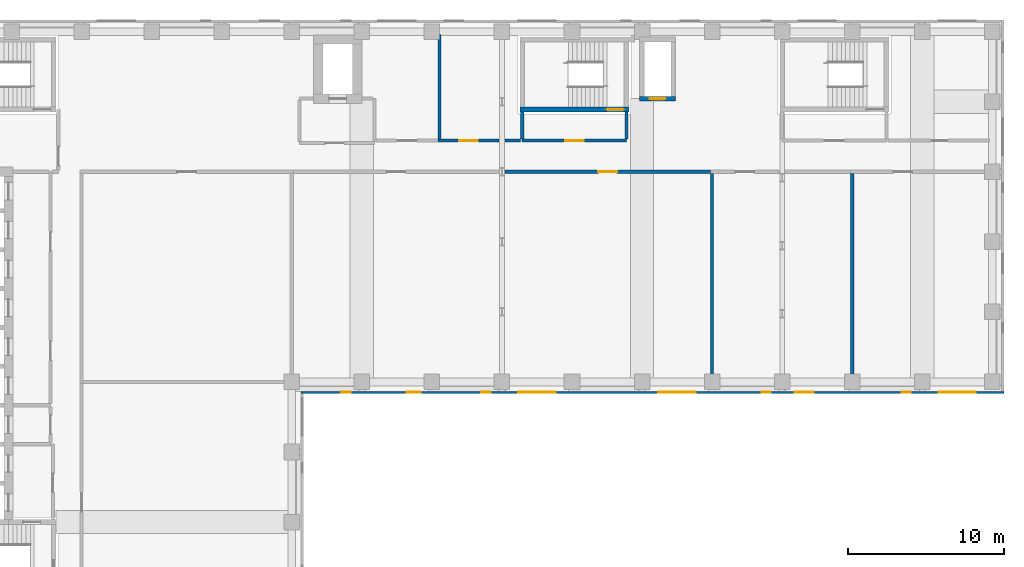
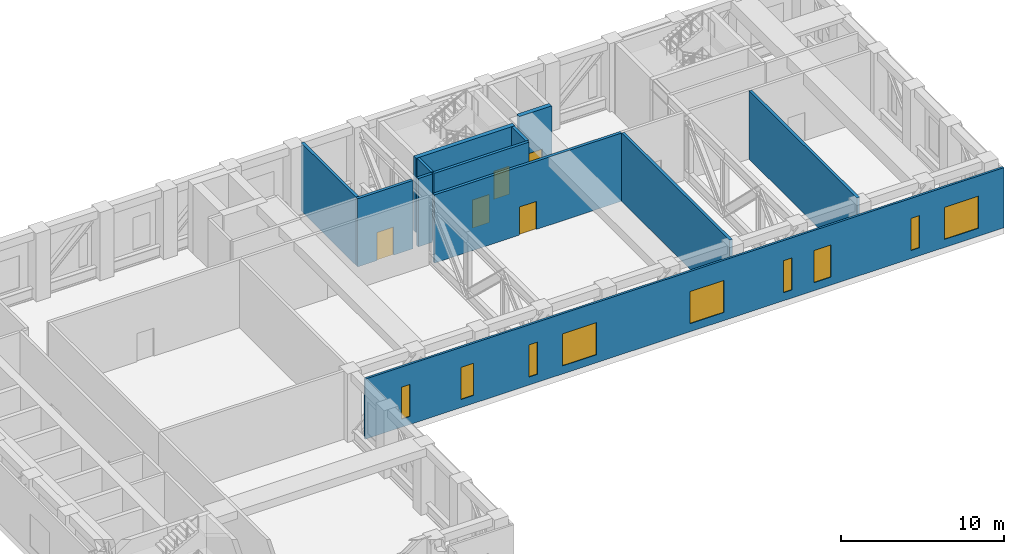
# One storey, part 8 of 14: 12 walls, 9 windows, 5 doors, 14 openings.
"""IFC4 building model written with IfcOpenShell, lengths in metres."""

from ifc_helpers import new_model, si_unit, direction, frame, frame_2d, origin, place, context, subcontext, project, spatial, rectangle, extrude, material, layer, layer_set, type_object, element, fill, save


model = new_model("IFC4")

# Units and contexts
model_context = context("Model", 3, precision=1e-05, world=origin(), true_north=direction((0.0, 1.0)))
body_context = subcontext(model_context, "Body", "Model", "MODEL_VIEW")
ifc_project = project(units=[si_unit("LENGTHUNIT", "METRE"), si_unit("AREAUNIT", "SQUARE_METRE"), si_unit("VOLUMEUNIT", "CUBIC_METRE"), si_unit("PLANEANGLEUNIT", "RADIAN"), si_unit("MASSUNIT", "GRAM", prefix="KILO")], contexts=[model_context])

# Site, building, storey
site_placement = place(None, origin())
site = spatial("IfcSite", under=ifc_project, at=site_placement, CompositionType="ELEMENT")
building_placement = place(site_placement, origin())
building = spatial("IfcBuilding", under=site, at=building_placement, Name="Firuza Court", CompositionType="ELEMENT")
storey_placement = place(building_placement, frame((0.0, 0.0, 173.60009765625)))
storey = spatial("IfcBuildingStorey", under=building, at=storey_placement, Name="L44", CompositionType="ELEMENT", Elevation=173.60009765625)

# Wall, opening, door
ifc_material_1 = material(Name="Concrete C60/75", Category="concrete")
ifc_layer_1 = layer(ifc_material_1, 0.300048828125)
ifc_layer_set_1 = layer_set([ifc_layer_1], Name="Concrete C60/75")
wall_type_1 = type_object("IfcWallType", Name="Core wall 300 C60/75", PredefinedType="SHEAR", material=ifc_layer_set_1)
wall_1_placement = place(storey_placement, frame((37.14990234375, 53.5, -0.4501953125), z_axis=(0.0, 0.0, 1.0), x_axis=(1.0, 0.0, 0.0)))
wall_1 = element("IfcWall", 1, at=wall_1_placement, inside=storey, type_object=wall_type_1, Name="Core wall stair L44", PredefinedType="SHEAR", context=body_context, shape_type="SweptSolid", body=[
    extrude(rectangle(XDim=7.0, YDim=0.300048828125, at=frame_2d((3.5, 0.0))), origin(), (0.0, 0.0, 1.0), 5.550048828125),
])
opening_1_placement = place(wall_1_placement, frame((5.580078125, 0.0, 0.449951171875)))
opening_1 = element("IfcOpeningElement", 2, at=opening_1_placement, cuts=wall_1, Name="Opening D44012", PredefinedType="OPENING", context=body_context, shape_type="SweptSolid", body=[
    extrude(rectangle(XDim=1.10009765625, YDim=2.10009765625, at=frame_2d((0.550048828125, 1.050048828125))), frame((0.0, 0.162109375, 0.0), z_axis=(0.0, -1.0, 0.0), x_axis=(1.0, 0.0, 0.0)), (0.0, 0.0, 1.0), 0.323974609375),
])
ifc_material_2 = material(Name="Timber door leaf in hardwood frame", Category="wood")
door_type_1 = type_object("IfcDoorType", Name="Stair door 1100", OperationType="SINGLE_SWING_LEFT", PredefinedType="DOOR", material=ifc_material_2)
door_1_placement = place(opening_1_placement, origin())
door_1 = element("IfcDoor", 3, at=door_1_placement, inside=storey, type_object=door_type_1, Name="Stair door S1", OperationType="SINGLE_SWING_RIGHT", OverallHeight=2.10009765625, OverallWidth=1.10009765625, PredefinedType="DOOR", context=body_context, shape_type="SweptSolid", body=[
    extrude(rectangle(XDim=1.10009765625, YDim=2.10009765625, at=frame_2d((0.550048828125, 1.050048828125))), frame((0.0, 0.02490234375, 0.0), z_axis=(0.0, -1.0, 0.0), x_axis=(1.0, 0.0, 0.0)), (0.0, 0.0, 1.0), 0.050048828125),
])
fill(opening_1, door_1)

wall_2_placement = place(storey_placement, frame((44.85009765625, 54.199951171875, -0.4501953125), z_axis=(0.0, 0.0, 1.0), x_axis=(1.0, 0.0, 0.0)))
wall_2 = element("IfcWall", 4, at=wall_2_placement, inside=storey, type_object=wall_type_1, Name="Core wall riser L44", PredefinedType="SHEAR", context=body_context, shape_type="SweptSolid", body=[
    extrude(rectangle(XDim=2.2998046875, YDim=0.300048828125, at=frame_2d((1.14990234375, 0.0))), origin(), (0.0, 0.0, 1.0), 5.550048828125),
])
opening_2_placement = place(wall_2_placement, frame((0.64990234375, 0.0, 0.449951171875)))
opening_2 = element("IfcOpeningElement", 5, at=opening_2_placement, cuts=wall_2, Name="Opening D44010", PredefinedType="OPENING", context=body_context, shape_type="SweptSolid", body=[
    extrude(rectangle(XDim=1.0, YDim=2.10009765625, at=frame_2d((0.5, 1.050048828125))), frame((0.0, 0.162109375, 0.0), z_axis=(0.0, -1.0, 0.0), x_axis=(1.0, 0.0, 0.0)), (0.0, 0.0, 1.0), 0.323974609375),
])
ifc_material_3 = material(Name="Timber door leaf in hardwood frame", Category="wood")
door_type_2 = type_object("IfcDoorType", Name="Riser door 1000", OperationType="SINGLE_SWING_LEFT", PredefinedType="DOOR", material=ifc_material_3)
door_2_placement = place(opening_2_placement, frame((1.0, 0.0, 0.0), z_axis=(0.0, 0.0, 1.0), x_axis=(-1.0, 0.0, 0.0)))
door_2 = element("IfcDoor", 6, at=door_2_placement, inside=storey, type_object=door_type_2, Name="Riser door R3", OperationType="SINGLE_SWING_RIGHT", OverallHeight=2.10009765625, OverallWidth=1.0, PredefinedType="DOOR", context=body_context, shape_type="SweptSolid", body=[
    extrude(rectangle(XDim=1.0, YDim=2.10009765625, at=frame_2d((0.5, 1.050048828125))), frame((0.0, 0.02490234375, 0.0), z_axis=(0.0, -1.0, 0.0), x_axis=(1.0, 0.0, 0.0)), (0.0, 0.0, 1.0), 0.050048828125),
])
fill(opening_2, door_2)

ifc_material_4 = material(Name="Blockwork, fire-rated", Category="masonry")
ifc_layer_2 = layer(ifc_material_4, 0.199951171875)
ifc_layer_set_2 = layer_set([ifc_layer_2], Name="Blockwork, fire-rated")
wall_type_2 = type_object("IfcWallType", Name="Plant room wall 200", PredefinedType="PARTITIONING", material=ifc_layer_set_2)
wall_3_placement = place(storey_placement, frame((36.1923828125, 49.5, 0.0), z_axis=(0.0, 0.0, 1.0), x_axis=(1.0, 0.0, 0.0)))
wall_3 = element("IfcWall", 7, at=wall_3_placement, inside=storey, type_object=wall_type_2, Name="Plant room wall 200 L44", PredefinedType="PARTITIONING", context=body_context, shape_type="SweptSolid", body=[
    extrude(rectangle(XDim=13.20751953125, YDim=0.199951171875, at=frame_2d((6.603759765625, 0.0))), origin(), (0.0, 0.0, 1.0), 5.099853515625),
])
opening_3_placement = place(wall_3_placement, frame((6.003662109375, 0.0, 0.0)))
opening_3 = element("IfcOpeningElement", 8, at=opening_3_placement, cuts=wall_3, Name="Opening D44026", PredefinedType="OPENING", context=body_context, shape_type="SweptSolid", body=[
    extrude(rectangle(XDim=1.199951171875, YDim=2.10009765625, at=frame_2d((0.60009765625, 1.050048828125))), frame((0.0, 0.11181640625, 0.0), z_axis=(0.0, -1.0, 0.0), x_axis=(1.0, 0.0, 0.0)), (0.0, 0.0, 1.0), 0.223876953125),
])
ifc_material_5 = material(Name="Timber door leaf in hardwood frame", Category="wood")
door_type_3 = type_object("IfcDoorType", Name="Plant room door 1200", OperationType="SINGLE_SWING_LEFT", PredefinedType="DOOR", material=ifc_material_5)
door_3_placement = place(opening_3_placement, frame((1.199951171875, 0.0, 0.0), z_axis=(0.0, 0.0, 1.0), x_axis=(-1.0, 0.0, 0.0)))
door_3 = element("IfcDoor", 9, at=door_3_placement, inside=storey, type_object=door_type_3, Name="Plant door", OperationType="SINGLE_SWING_RIGHT", OverallHeight=2.10009765625, OverallWidth=1.199951171875, PredefinedType="DOOR", context=body_context, shape_type="SweptSolid", body=[
    extrude(rectangle(XDim=1.199951171875, YDim=2.10009765625, at=frame_2d((0.60009765625, 1.050048828125))), frame((0.0, 0.02490234375, 0.0), z_axis=(0.0, -1.0, 0.0), x_axis=(1.0, 0.0, 0.0)), (0.0, 0.0, 1.0), 0.050048828125),
])
fill(opening_3, door_3)

# Walls
for number, where, z_axis, x_axis, name in (
    (10, (49.5, 49.39990234375, 0.0), (0.0, 0.0, 1.0), (0.0, -1.0, 0.0), "Plant room wall 200 L44"),
    (11, (58.5, 49.39990234375, 0.0), (0.0, 0.0, 1.0), (0.0, -1.0, 0.0), "Plant room wall 200 L44"),
):
    element("IfcWall", number, at=place(storey_placement, frame(where, z_axis=z_axis, x_axis=x_axis)), inside=storey, type_object=wall_type_2, Name=name, PredefinedType="PARTITIONING", context=body_context, shape_type="SweptSolid", body=[
        extrude(rectangle(XDim=13.20849609375, YDim=0.199951171875, at=frame_2d((6.604248046875, 0.0))), origin(), (0.0, 0.0, 1.0), 5.099853515625),
    ])
wall_4_placement = place(storey_placement, frame((37.199951171875, 51.5, 0.0), z_axis=(0.0, 0.0, 1.0), x_axis=(-1.0, 0.0, 0.0)))
element("IfcWall", 12, at=wall_4_placement, inside=storey, type_object=wall_type_2, Name="Plant room wall 200 L44", PredefinedType="PARTITIONING", context=body_context, shape_type="SweptSolid", body=[
    extrude(rectangle(XDim=1.007568359375, YDim=0.199951171875, at=frame_2d((0.50390625, 0.0))), origin(), (0.0, 0.0, 1.0), 5.099853515625),
])

# Wall, opening, door
wall_5_placement = place(storey_placement, frame((35.8076171875, 51.5, 0.0), z_axis=(0.0, 0.0, 1.0), x_axis=(-1.0, 0.0, 0.0)))
wall_5 = element("IfcWall", 13, at=wall_5_placement, inside=storey, type_object=wall_type_2, Name="Plant room wall 200 L44", PredefinedType="PARTITIONING", context=body_context, shape_type="SweptSolid", body=[
    extrude(rectangle(XDim=3.90771484375, YDim=0.199951171875, at=frame_2d((1.953857421875, 0.0))), origin(), (0.0, 0.0, 1.0), 5.099853515625),
])
opening_4_placement = place(wall_5_placement, frame((1.353759765625, 0.0, 0.0)))
opening_4 = element("IfcOpeningElement", 14, at=opening_4_placement, cuts=wall_5, Name="Opening D44030", PredefinedType="OPENING", context=body_context, shape_type="SweptSolid", body=[
    extrude(rectangle(XDim=1.199951171875, YDim=2.10009765625, at=frame_2d((0.60009765625, 1.050048828125))), frame((0.0, 0.11181640625, 0.0), z_axis=(0.0, -1.0, 0.0), x_axis=(1.0, 0.0, 0.0)), (0.0, 0.0, 1.0), 0.223876953125),
])
door_4_placement = place(opening_4_placement, frame((1.199951171875, 0.0, 0.0), z_axis=(0.0, 0.0, 1.0), x_axis=(-1.0, 0.0, 0.0)))
door_4 = element("IfcDoor", 15, at=door_4_placement, inside=storey, type_object=door_type_3, Name="Plant door", OperationType="SINGLE_SWING_LEFT", OverallHeight=2.10009765625, OverallWidth=1.199951171875, PredefinedType="DOOR", context=body_context, shape_type="SweptSolid", body=[
    extrude(rectangle(XDim=1.199951171875, YDim=2.10009765625, at=frame_2d((0.60009765625, 1.050048828125))), frame((0.0, 0.02490234375, 0.0), z_axis=(0.0, -1.0, 0.0), x_axis=(1.0, 0.0, 0.0)), (0.0, 0.0, 1.0), 0.050048828125),
])
fill(opening_4, door_4)

# Wall
wall_6_placement = place(storey_placement, frame((32.0, 58.30859375, 0.0), z_axis=(0.0, 0.0, 1.0), x_axis=(0.0, -1.0, 0.0)))
element("IfcWall", 16, at=wall_6_placement, inside=storey, type_object=wall_type_2, Name="Plant room wall 200 L44", PredefinedType="PARTITIONING", context=body_context, shape_type="SweptSolid", body=[
    extrude(rectangle(XDim=6.70849609375, YDim=0.199951171875, at=frame_2d((3.354248046875, 0.0))), origin(), (0.0, 0.0, 1.0), 5.099853515625),
])

# Wall, openings, windows
ifc_material_6 = material(Name="Ceramic tile", Category="ceramic")
ifc_layer_3 = layer(ifc_material_6, 0.02001953125)
ifc_material_7 = material(Name="Mineral wool insulation", Category="insulation")
ifc_layer_4 = layer(ifc_material_7, 0.050048828125)
ifc_material_8 = material(Name="Concrete C40/50 precast", Category="concrete")
ifc_layer_5 = layer(ifc_material_8, 0.080078125)
ifc_layer_set_3 = layer_set([ifc_layer_3, ifc_layer_4, ifc_layer_5], Name="Concrete C40/50 precast")
wall_type_3 = type_object("IfcWallType", Name="Precast cladding wall with turquoise TILE PANEL face 150", PredefinedType="STANDARD", material=ifc_layer_set_3)
wall_7_placement = place(storey_placement, frame((23.10009765625, 35.324951171875, 0.0), z_axis=(0.0, 0.0, 1.0), x_axis=(1.0, 0.0, 0.0)))
wall_7 = element("IfcWall", 17, at=wall_7_placement, inside=storey, type_object=wall_type_3, Name="Facade wall L44 S", PredefinedType="STANDARD", context=body_context, shape_type="SweptSolid", body=[
    extrude(rectangle(XDim=45.14990234375, YDim=0.14990234375, at=frame_2d((22.574951171875, 0.0))), origin(), (0.0, 0.0, 1.0), 4.5),
])
opening_5_placement = place(wall_7_placement, frame((2.574951171875, 0.0, 0.60009765625)))
opening_5 = element("IfcOpeningElement", 18, at=opening_5_placement, cuts=wall_7, Name="Opening LV6", PredefinedType="OPENING", context=body_context, shape_type="SweptSolid", body=[
    extrude(rectangle(XDim=0.60009765625, YDim=2.39990234375, at=frame_2d((0.300048828125, 1.199951171875))), frame((0.0, 0.0869140625, 0.0), z_axis=(0.0, -1.0, 0.0), x_axis=(1.0, 0.0, 0.0)), (0.0, 0.0, 1.0), 0.173828125),
])
opening_6_placement = place(wall_7_placement, frame((6.781005859375, 0.0, 0.60009765625)))
opening_6 = element("IfcOpeningElement", 19, at=opening_6_placement, cuts=wall_7, Name="Opening LV8", PredefinedType="OPENING", context=body_context, shape_type="SweptSolid", body=[
    extrude(rectangle(XDim=0.89990234375, YDim=2.39990234375, at=frame_2d((0.449951171875, 1.199951171875))), frame((0.0, 0.0869140625, 0.0), z_axis=(0.0, -1.0, 0.0), x_axis=(1.0, 0.0, 0.0)), (0.0, 0.0, 1.0), 0.173828125),
])
opening_7_placement = place(wall_7_placement, frame((11.574951171875, 0.0, 0.60009765625)))
opening_7 = element("IfcOpeningElement", 20, at=opening_7_placement, cuts=wall_7, Name="Opening LV6", PredefinedType="OPENING", context=body_context, shape_type="SweptSolid", body=[
    extrude(rectangle(XDim=0.60009765625, YDim=2.39990234375, at=frame_2d((0.300048828125, 1.199951171875))), frame((0.0, 0.0869140625, 0.0), z_axis=(0.0, -1.0, 0.0), x_axis=(1.0, 0.0, 0.0)), (0.0, 0.0, 1.0), 0.173828125),
])
opening_8_placement = place(wall_7_placement, frame((13.949951171875, 0.0, 0.60009765625)))
opening_8 = element("IfcOpeningElement", 21, at=opening_8_placement, cuts=wall_7, Name="Opening LV2", PredefinedType="OPENING", context=body_context, shape_type="SweptSolid", body=[
    extrude(rectangle(XDim=2.39990234375, YDim=2.39990234375, at=frame_2d((1.199951171875, 1.199951171875))), frame((0.0, 0.0869140625, 0.0), z_axis=(0.0, -1.0, 0.0), x_axis=(1.0, 0.0, 0.0)), (0.0, 0.0, 1.0), 0.173828125),
])
opening_9_placement = place(wall_7_placement, frame((22.949951171875, 0.0, 0.60009765625)))
opening_9 = element("IfcOpeningElement", 22, at=opening_9_placement, cuts=wall_7, Name="Opening LV2", PredefinedType="OPENING", context=body_context, shape_type="SweptSolid", body=[
    extrude(rectangle(XDim=2.39990234375, YDim=2.39990234375, at=frame_2d((1.199951171875, 1.199951171875))), frame((0.0, 0.0869140625, 0.0), z_axis=(0.0, -1.0, 0.0), x_axis=(1.0, 0.0, 0.0)), (0.0, 0.0, 1.0), 0.173828125),
])
opening_10_placement = place(wall_7_placement, frame((29.574951171875, 0.0, 0.60009765625)))
opening_10 = element("IfcOpeningElement", 23, at=opening_10_placement, cuts=wall_7, Name="Opening LV6", PredefinedType="OPENING", context=body_context, shape_type="SweptSolid", body=[
    extrude(rectangle(XDim=0.60009765625, YDim=2.39990234375, at=frame_2d((0.300048828125, 1.199951171875))), frame((0.0, 0.0869140625, 0.0), z_axis=(0.0, -1.0, 0.0), x_axis=(1.0, 0.0, 0.0)), (0.0, 0.0, 1.0), 0.173828125),
])
opening_11_placement = place(wall_7_placement, frame((31.7158203125, 0.0, 0.60009765625)))
opening_11 = element("IfcOpeningElement", 24, at=opening_11_placement, cuts=wall_7, Name="Opening LV5", PredefinedType="OPENING", context=body_context, shape_type="SweptSolid", body=[
    extrude(rectangle(XDim=1.199951171875, YDim=2.39990234375, at=frame_2d((0.60009765625, 1.199951171875))), frame((0.0, 0.0869140625, 0.0), z_axis=(0.0, -1.0, 0.0), x_axis=(1.0, 0.0, 0.0)), (0.0, 0.0, 1.0), 0.173828125),
])
opening_12_placement = place(wall_7_placement, frame((38.574951171875, 0.0, 0.60009765625)))
opening_12 = element("IfcOpeningElement", 25, at=opening_12_placement, cuts=wall_7, Name="Opening LV6", PredefinedType="OPENING", context=body_context, shape_type="SweptSolid", body=[
    extrude(rectangle(XDim=0.60009765625, YDim=2.39990234375, at=frame_2d((0.300048828125, 1.199951171875))), frame((0.0, 0.0869140625, 0.0), z_axis=(0.0, -1.0, 0.0), x_axis=(1.0, 0.0, 0.0)), (0.0, 0.0, 1.0), 0.173828125),
])
opening_13_placement = place(wall_7_placement, frame((40.949951171875, 0.0, 0.60009765625)))
opening_13 = element("IfcOpeningElement", 26, at=opening_13_placement, cuts=wall_7, Name="Opening LV2", PredefinedType="OPENING", context=body_context, shape_type="SweptSolid", body=[
    extrude(rectangle(XDim=2.39990234375, YDim=2.39990234375, at=frame_2d((1.199951171875, 1.199951171875))), frame((0.0, 0.0869140625, 0.0), z_axis=(0.0, -1.0, 0.0), x_axis=(1.0, 0.0, 0.0)), (0.0, 0.0, 1.0), 0.173828125),
])
ifc_material_9 = material(Name="Aluminium weather louvre with insect mesh", Category="aluminium")
window_type_1 = type_object("IfcWindowType", Name="Plant louvre 1200 x 2400", PartitioningType="SINGLE_PANEL", PredefinedType="USERDEFINED", material=ifc_material_9)
window_1_placement = place(opening_11_placement, origin())
window_1 = element("IfcWindow", 27, at=window_1_placement, inside=storey, type_object=window_type_1, Name="Louvre L44", ObjectType="LOUVRE", OverallHeight=2.39990234375, OverallWidth=1.199951171875, PartitioningType="SINGLE_PANEL", PredefinedType="USERDEFINED", context=body_context, shape_type="SweptSolid", body=[
    extrude(rectangle(XDim=1.199951171875, YDim=2.39990234375, at=frame_2d((0.60009765625, 1.199951171875))), frame((0.0, 0.030029296875, 0.0), z_axis=(0.0, -1.0, 0.0), x_axis=(1.0, 0.0, 0.0)), (0.0, 0.0, 1.0), 0.06005859375),
])
fill(opening_11, window_1)
ifc_material_10 = material(Name="Aluminium weather louvre with insect mesh", Category="aluminium")
window_type_2 = type_object("IfcWindowType", Name="Plant louvre 2400 x 2400", PartitioningType="SINGLE_PANEL", PredefinedType="USERDEFINED", material=ifc_material_10)
window_2_placement = place(opening_8_placement, origin())
window_2 = element("IfcWindow", 28, at=window_2_placement, inside=storey, type_object=window_type_2, Name="Louvre L44", ObjectType="LOUVRE", OverallHeight=2.39990234375, OverallWidth=2.39990234375, PartitioningType="SINGLE_PANEL", PredefinedType="USERDEFINED", context=body_context, shape_type="SweptSolid", body=[
    extrude(rectangle(XDim=2.39990234375, YDim=2.39990234375, at=frame_2d((1.199951171875, 1.199951171875))), frame((0.0, 0.030029296875, 0.0), z_axis=(0.0, -1.0, 0.0), x_axis=(1.0, 0.0, 0.0)), (0.0, 0.0, 1.0), 0.06005859375),
])
fill(opening_8, window_2)
window_3_placement = place(opening_9_placement, origin())
window_3 = element("IfcWindow", 29, at=window_3_placement, inside=storey, type_object=window_type_2, Name="Louvre L44", ObjectType="LOUVRE", OverallHeight=2.39990234375, OverallWidth=2.39990234375, PartitioningType="SINGLE_PANEL", PredefinedType="USERDEFINED", context=body_context, shape_type="SweptSolid", body=[
    extrude(rectangle(XDim=2.39990234375, YDim=2.39990234375, at=frame_2d((1.199951171875, 1.199951171875))), frame((0.0, 0.030029296875, 0.0), z_axis=(0.0, -1.0, 0.0), x_axis=(1.0, 0.0, 0.0)), (0.0, 0.0, 1.0), 0.06005859375),
])
fill(opening_9, window_3)
window_4_placement = place(opening_13_placement, origin())
window_4 = element("IfcWindow", 30, at=window_4_placement, inside=storey, type_object=window_type_2, Name="Louvre L44", ObjectType="LOUVRE", OverallHeight=2.39990234375, OverallWidth=2.39990234375, PartitioningType="SINGLE_PANEL", PredefinedType="USERDEFINED", context=body_context, shape_type="SweptSolid", body=[
    extrude(rectangle(XDim=2.39990234375, YDim=2.39990234375, at=frame_2d((1.199951171875, 1.199951171875))), frame((0.0, 0.030029296875, 0.0), z_axis=(0.0, -1.0, 0.0), x_axis=(1.0, 0.0, 0.0)), (0.0, 0.0, 1.0), 0.06005859375),
])
fill(opening_13, window_4)
ifc_material_11 = material(Name="Aluminium weather louvre with insect mesh", Category="aluminium")
window_type_3 = type_object("IfcWindowType", Name="Plant louvre 600 x 2400", PartitioningType="SINGLE_PANEL", PredefinedType="USERDEFINED", material=ifc_material_11)
window_5_placement = place(opening_5_placement, origin())
window_5 = element("IfcWindow", 31, at=window_5_placement, inside=storey, type_object=window_type_3, Name="Louvre L44", ObjectType="LOUVRE", OverallHeight=2.39990234375, OverallWidth=0.60009765625, PartitioningType="SINGLE_PANEL", PredefinedType="USERDEFINED", context=body_context, shape_type="SweptSolid", body=[
    extrude(rectangle(XDim=0.60009765625, YDim=2.39990234375, at=frame_2d((0.300048828125, 1.199951171875))), frame((0.0, 0.030029296875, 0.0), z_axis=(0.0, -1.0, 0.0), x_axis=(1.0, 0.0, 0.0)), (0.0, 0.0, 1.0), 0.06005859375),
])
fill(opening_5, window_5)
window_6_placement = place(opening_7_placement, origin())
window_6 = element("IfcWindow", 32, at=window_6_placement, inside=storey, type_object=window_type_3, Name="Louvre L44", ObjectType="LOUVRE", OverallHeight=2.39990234375, OverallWidth=0.60009765625, PartitioningType="SINGLE_PANEL", PredefinedType="USERDEFINED", context=body_context, shape_type="SweptSolid", body=[
    extrude(rectangle(XDim=0.60009765625, YDim=2.39990234375, at=frame_2d((0.300048828125, 1.199951171875))), frame((0.0, 0.030029296875, 0.0), z_axis=(0.0, -1.0, 0.0), x_axis=(1.0, 0.0, 0.0)), (0.0, 0.0, 1.0), 0.06005859375),
])
fill(opening_7, window_6)
window_7_placement = place(opening_10_placement, origin())
window_7 = element("IfcWindow", 33, at=window_7_placement, inside=storey, type_object=window_type_3, Name="Louvre L44", ObjectType="LOUVRE", OverallHeight=2.39990234375, OverallWidth=0.60009765625, PartitioningType="SINGLE_PANEL", PredefinedType="USERDEFINED", context=body_context, shape_type="SweptSolid", body=[
    extrude(rectangle(XDim=0.60009765625, YDim=2.39990234375, at=frame_2d((0.300048828125, 1.199951171875))), frame((0.0, 0.030029296875, 0.0), z_axis=(0.0, -1.0, 0.0), x_axis=(1.0, 0.0, 0.0)), (0.0, 0.0, 1.0), 0.06005859375),
])
fill(opening_10, window_7)
window_8_placement = place(opening_12_placement, origin())
window_8 = element("IfcWindow", 34, at=window_8_placement, inside=storey, type_object=window_type_3, Name="Louvre L44", ObjectType="LOUVRE", OverallHeight=2.39990234375, OverallWidth=0.60009765625, PartitioningType="SINGLE_PANEL", PredefinedType="USERDEFINED", context=body_context, shape_type="SweptSolid", body=[
    extrude(rectangle(XDim=0.60009765625, YDim=2.39990234375, at=frame_2d((0.300048828125, 1.199951171875))), frame((0.0, 0.030029296875, 0.0), z_axis=(0.0, -1.0, 0.0), x_axis=(1.0, 0.0, 0.0)), (0.0, 0.0, 1.0), 0.06005859375),
])
fill(opening_12, window_8)
ifc_material_12 = material(Name="Aluminium weather louvre with insect mesh", Category="aluminium")
window_type_4 = type_object("IfcWindowType", Name="Plant louvre 900 x 2400", PartitioningType="SINGLE_PANEL", PredefinedType="USERDEFINED", material=ifc_material_12)
window_9_placement = place(opening_6_placement, origin())
window_9 = element("IfcWindow", 35, at=window_9_placement, inside=storey, type_object=window_type_4, Name="Louvre L44", ObjectType="LOUVRE", OverallHeight=2.39990234375, OverallWidth=0.89990234375, PartitioningType="SINGLE_PANEL", PredefinedType="USERDEFINED", context=body_context, shape_type="SweptSolid", body=[
    extrude(rectangle(XDim=0.89990234375, YDim=2.39990234375, at=frame_2d((0.449951171875, 1.199951171875))), frame((0.0, 0.030029296875, 0.0), z_axis=(0.0, -1.0, 0.0), x_axis=(1.0, 0.0, 0.0)), (0.0, 0.0, 1.0), 0.06005859375),
])
fill(opening_6, window_9)

# Wall, opening, door
ifc_layer_6 = layer(ifc_material_4, 0.199951171875)
ifc_layer_set_4 = layer_set([ifc_layer_6], Name="Blockwork, fire-rated")
wall_type_4 = type_object("IfcWallType", Name="Shaft wall 200", PredefinedType="PARTITIONING", material=ifc_layer_set_4)
wall_8_placement = place(storey_placement, frame((37.300048828125, 51.5, 0.0), z_axis=(0.0, 0.0, 1.0), x_axis=(1.0, 0.0, 0.0)))
wall_8 = element("IfcWall", 36, at=wall_8_placement, inside=storey, type_object=wall_type_4, Name="Shaft wall 200 L44", PredefinedType="PARTITIONING", context=body_context, shape_type="SweptSolid", body=[
    extrude(rectangle(XDim=6.699951171875, YDim=0.199951171875, at=frame_2d((3.35009765625, 0.0))), origin(), (0.0, 0.0, 1.0), 5.099853515625),
])
opening_14_placement = place(wall_8_placement, frame((2.75, 0.0, 0.0)))
opening_14 = element("IfcOpeningElement", 37, at=opening_14_placement, cuts=wall_8, Name="Opening D44006", PredefinedType="OPENING", context=body_context, shape_type="SweptSolid", body=[
    extrude(rectangle(XDim=1.199951171875, YDim=2.10009765625, at=frame_2d((0.60009765625, 1.050048828125))), frame((0.0, 0.11181640625, 0.0), z_axis=(0.0, -1.0, 0.0), x_axis=(1.0, 0.0, 0.0)), (0.0, 0.0, 1.0), 0.223876953125),
])
ifc_material_13 = material(Name="Timber door leaf in hardwood frame", Category="wood")
door_type_4 = type_object("IfcDoorType", Name="Lobby door 1200", OperationType="SINGLE_SWING_LEFT", PredefinedType="DOOR", material=ifc_material_13)
door_5_placement = place(opening_14_placement, origin())
door_5 = element("IfcDoor", 38, at=door_5_placement, inside=storey, type_object=door_type_4, Name="Lobby door", OperationType="SINGLE_SWING_LEFT", OverallHeight=2.10009765625, OverallWidth=1.199951171875, PredefinedType="DOOR", context=body_context, shape_type="SweptSolid", body=[
    extrude(rectangle(XDim=1.199951171875, YDim=2.10009765625, at=frame_2d((0.60009765625, 1.050048828125))), frame((0.0, 0.02490234375, 0.0), z_axis=(0.0, -1.0, 0.0), x_axis=(1.0, 0.0, 0.0)), (0.0, 0.0, 1.0), 0.050048828125),
])
fill(opening_14, door_5)

# Walls
for number, where, z_axis, x_axis, name in (
    (39, (44.0, 51.60009765625, 0.0), (0.0, 0.0, 1.0), (0.0, 1.0, 0.0), "Shaft wall 200 L44"),
    (40, (37.300048828125, 51.60009765625, 0.0), (0.0, 0.0, 1.0), (0.0, 1.0, 0.0), "Shaft wall 200 L44"),
):
    element("IfcWall", number, at=place(storey_placement, frame(where, z_axis=z_axis, x_axis=x_axis)), inside=storey, type_object=wall_type_4, Name=name, PredefinedType="PARTITIONING", context=body_context, shape_type="SweptSolid", body=[
        extrude(rectangle(XDim=1.72998046875, YDim=0.199951171875, at=frame_2d((0.864990234375, 0.0))), origin(), (0.0, 0.0, 1.0), 5.099853515625),
    ])

save(model, "model.ifc")
